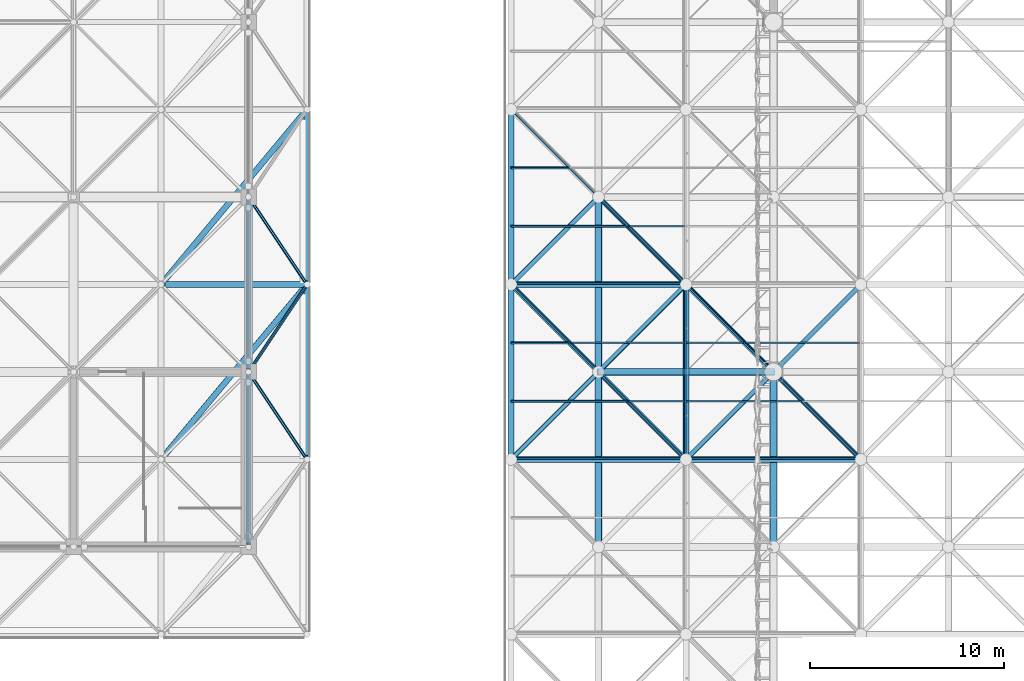
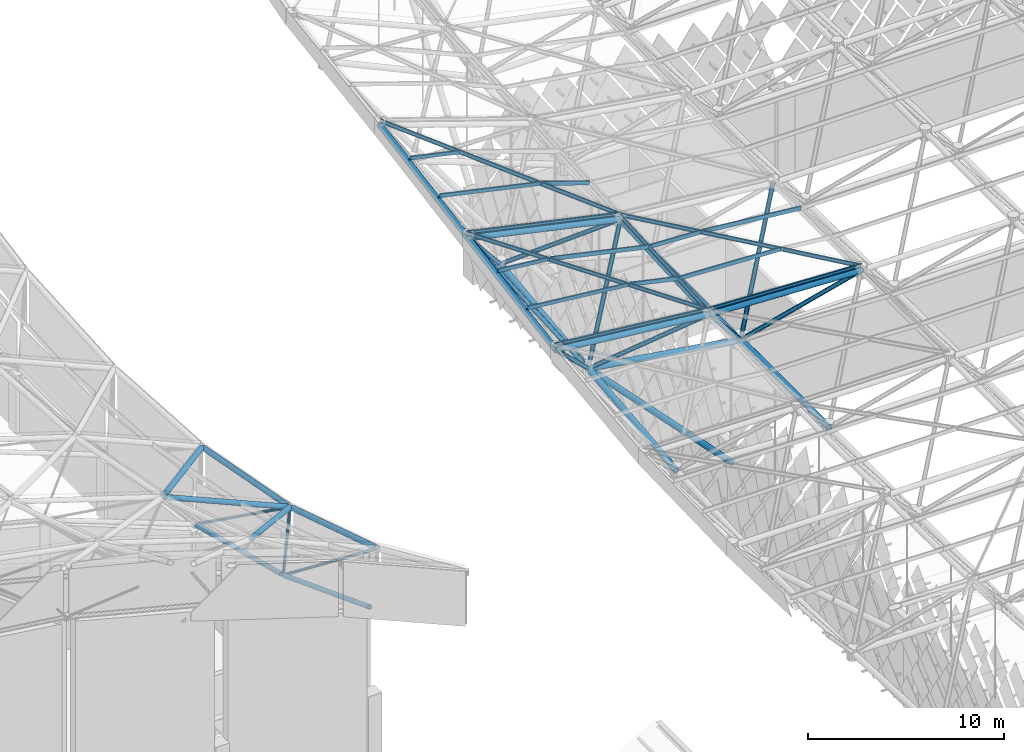
# One storey, part 81 of 437: 48 members.
"""IFC4 building model written with IfcOpenShell, lengths in metres."""

from ifc_helpers import new_model, si_unit, direction, frame, origin, origin_2d, place, context, subcontext, project, spatial, polyline, hollow_circle, outline, extrude, material, material_profile, profile_set, type_object, element, save


model = new_model("IFC4")

# Units and contexts
model_context = context("Model", 3, precision=1e-05, world=origin(), true_north=direction((0.0, 1.0)))
body_context = subcontext(model_context, "Body", "Model", "MODEL_VIEW")
ifc_project = project(units=[si_unit("LENGTHUNIT", "METRE"), si_unit("AREAUNIT", "SQUARE_METRE"), si_unit("VOLUMEUNIT", "CUBIC_METRE"), si_unit("PLANEANGLEUNIT", "RADIAN"), si_unit("MASSUNIT", "GRAM", prefix="KILO")], contexts=[model_context])

# Site, building, storey
site_placement = place(None, origin())
site = spatial("IfcSite", under=ifc_project, at=site_placement, CompositionType="ELEMENT")
building_placement = place(site_placement, origin())
building = spatial("IfcBuilding", under=site, at=building_placement, Name="Opaline Strait Convention Centre", CompositionType="ELEMENT")
storey_placement = place(building_placement, frame((0.0, 0.0, 11.5)))
storey = spatial("IfcBuildingStorey", under=building, at=storey_placement, Name="L02", CompositionType="ELEMENT", Elevation=11.5)

# Members
ifc_material = material(Name="Steel Q355B", Category="steel")
ifc_material_profile_1 = material_profile(ifc_material, hollow_circle(Radius=0.175537109375, WallThickness=0.01611328125, at=origin_2d()), Name="CHS 351x16")
ifc_profile_set_1 = profile_set([ifc_material_profile_1], Name="Steel Q355B")
member_type_1 = type_object("IfcMemberType", Name="Raking prop CHS 351x16", PredefinedType="BRACE", material=ifc_profile_set_1)
member_1_placement = place(storey_placement, frame((98.48388671875, 126.0, 5.0166015625), z_axis=(-0.692510344595, 0.0, 0.721407944667), x_axis=(0.0, -1.0, 0.0)))
element("IfcMember", 1, at=member_1_placement, inside=storey, type_object=member_type_1, Name="Raking prop 99/126 W", PredefinedType="BRACE", context=body_context, shape_type="SweptSolid", body=[
    extrude(hollow_circle(Radius=0.175537109375, WallThickness=0.01611328125, at=origin_2d()), origin(), (0.0, 0.0, 1.0), 12.301025390625),
])
ifc_material_profile_2 = material_profile(ifc_material, outline(polyline([(-0.03759765625, -0.125), (0.03759765625, -0.125), (0.03759765625, -0.10498046875), (0.034912109375, -0.10498046875), (0.034912109375, -0.12255859375), (-0.034912109375, -0.12255859375), (-0.034912109375, 0.12255859375), (0.034912109375, 0.12255859375), (0.034912109375, 0.10498046875), (0.03759765625, 0.10498046875), (0.03759765625, 0.125), (-0.03759765625, 0.125), (-0.03759765625, -0.125)])), Name="C 250x75x20x2.5")
ifc_profile_set_2 = profile_set([ifc_material_profile_2], Name="Steel Q355B")
member_type_2 = type_object("IfcMemberType", Name="Roof purlin C 250x75x20x2.5", PredefinedType="PURLIN", material=ifc_profile_set_2)
member_2_placement = place(storey_placement, frame((94.5, 121.5, 18.657470703125), z_axis=(-0.694204223982, 0.694204223982, 0.190160434401), x_axis=(-0.71248371518, -0.700270764147, -0.044584890758)))
element("IfcMember", 2, at=member_2_placement, inside=storey, type_object=member_type_2, Name="EXB-RF-F-0-9", PredefinedType="PURLIN", context=body_context, shape_type="SweptSolid", body=[
    extrude(outline(polyline([(-0.03759765625, -0.125), (0.03759765625, -0.125), (0.03759765625, -0.10498046875), (0.034912109375, -0.10498046875), (0.034912109375, -0.12255859375), (-0.034912109375, -0.12255859375), (-0.034912109375, 0.12255859375), (0.034912109375, 0.12255859375), (0.034912109375, 0.10498046875), (0.03759765625, 0.10498046875), (0.03759765625, 0.125), (-0.03759765625, 0.125), (-0.03759765625, -0.125)])), origin(), (0.0, 0.0, 1.0), 12.964599609375),
])
member_3_placement = place(storey_placement, frame((94.434326171875, 121.449951171875, 18.673583984375), z_axis=(0.0, 0.998533323421, 0.054140576451), x_axis=(-0.976767751484, -0.011602359597, 0.213986319453)))
element("IfcMember", 3, at=member_3_placement, inside=storey, type_object=member_type_2, Name="EXB-RF-E-0-9a", PredefinedType="PURLIN", context=body_context, shape_type="SweptSolid", body=[
    extrude(outline(polyline([(-0.03759765625, -0.125), (0.03759765625, -0.125), (0.03759765625, -0.10498046875), (0.034912109375, -0.10498046875), (0.034912109375, -0.12255859375), (-0.034912109375, -0.12255859375), (-0.034912109375, 0.12255859375), (0.034912109375, 0.12255859375), (0.034912109375, 0.10498046875), (0.03759765625, 0.10498046875), (0.03759765625, 0.125), (-0.03759765625, 0.125), (-0.03759765625, -0.125)])), origin(), (0.0, 0.0, 1.0), 9.113525390625),
])
member_4_placement = place(storey_placement, frame((91.550048828125, 124.5, 19.47265625), z_axis=(0.976698163467, 0.0, -0.214617560978), x_axis=(0.011616735774, 0.998534026345, 0.052866337893)))
element("IfcMember", 4, at=member_4_placement, inside=storey, type_object=member_type_2, Name="EXB-RF-P-0-9-0a", PredefinedType="PURLIN", context=body_context, shape_type="SweptSolid", body=[
    extrude(outline(polyline([(-0.03759765625, -0.125), (0.03759765625, -0.125), (0.03759765625, -0.10498046875), (0.034912109375, -0.10498046875), (0.034912109375, -0.12255859375), (-0.034912109375, -0.12255859375), (-0.034912109375, 0.12255859375), (0.034912109375, 0.12255859375), (0.034912109375, 0.10498046875), (0.03759765625, 0.10498046875), (0.03759765625, 0.125), (-0.03759765625, 0.125), (-0.03759765625, -0.125)])), origin(), (0.0, 0.0, 1.0), 2.917724609375),
])
member_5_placement = place(storey_placement, frame((88.550048828125, 127.5, 20.29443359375), z_axis=(0.976699349259, 0.0, -0.214612164511), x_axis=(0.011616443677, 0.998534026345, 0.052866402077)))
element("IfcMember", 5, at=member_5_placement, inside=storey, type_object=member_type_2, Name="EXB-RF-P-0-9-1a", PredefinedType="PURLIN", context=body_context, shape_type="SweptSolid", body=[
    extrude(outline(polyline([(-0.03759765625, -0.125), (0.03759765625, -0.125), (0.03759765625, -0.10498046875), (0.034912109375, -0.10498046875), (0.034912109375, -0.12255859375), (-0.034912109375, -0.12255859375), (-0.034912109375, 0.12255859375), (0.034912109375, 0.12255859375), (0.034912109375, 0.10498046875), (0.03759765625, 0.10498046875), (0.03759765625, 0.125), (-0.03759765625, 0.125), (-0.03759765625, -0.125)])), origin(), (0.0, 0.0, 1.0), 5.989501953125),
])
member_6_placement = place(storey_placement, frame((94.550048828125, 121.56005859375, 18.6650390625), z_axis=(-0.994612105595, 0.0, 0.10366657805), x_axis=(-0.017254091808, -0.986051866452, -0.165541574785)))
element("IfcMember", 6, at=member_6_placement, inside=storey, type_object=member_type_2, Name="EXB-RF-E-0-9b", PredefinedType="PURLIN", context=body_context, shape_type="SweptSolid", body=[
    extrude(outline(polyline([(-0.03759765625, -0.125), (0.03759765625, -0.125), (0.03759765625, -0.10498046875), (0.034912109375, -0.10498046875), (0.034912109375, -0.12255859375), (-0.034912109375, -0.12255859375), (-0.034912109375, 0.12255859375), (0.034912109375, 0.12255859375), (0.034912109375, 0.10498046875), (0.03759765625, 0.10498046875), (0.03759765625, 0.125), (-0.03759765625, 0.125), (-0.03759765625, -0.125)])), origin(), (0.0, 0.0, 1.0), 9.1494140625),
])
member_7_placement = place(storey_placement, frame((85.5, 124.5, 20.107177734375), z_axis=(0.994612712378, 0.0, -0.103660756204), x_axis=(0.017343920909, 0.985903618125, 0.166412872625)))
element("IfcMember", 7, at=member_7_placement, inside=storey, type_object=member_type_2, Name="EXB-RF-P-0-9-0b", PredefinedType="PURLIN", context=body_context, shape_type="SweptSolid", body=[
    extrude(outline(polyline([(-0.03759765625, -0.125), (0.03759765625, -0.125), (0.03759765625, -0.10498046875), (0.034912109375, -0.10498046875), (0.034912109375, -0.12255859375), (-0.034912109375, -0.12255859375), (-0.034912109375, 0.12255859375), (0.034912109375, 0.12255859375), (0.034912109375, 0.10498046875), (0.03759765625, 0.10498046875), (0.03759765625, 0.125), (-0.03759765625, 0.125), (-0.03759765625, -0.125)])), origin(), (0.0, 0.0, 1.0), 5.982177734375),
])
member_8_placement = place(storey_placement, frame((85.5, 127.5, 20.6162109375), z_axis=(0.994615404266, 0.0, -0.103634924602), x_axis=(0.017339598914, 0.985903618125, 0.166413323016)))
element("IfcMember", 8, at=member_8_placement, inside=storey, type_object=member_type_2, Name="EXB-RF-P-0-9-1b", PredefinedType="PURLIN", context=body_context, shape_type="SweptSolid", body=[
    extrude(outline(polyline([(-0.03759765625, -0.125), (0.03759765625, -0.125), (0.03759765625, -0.10498046875), (0.034912109375, -0.10498046875), (0.034912109375, -0.12255859375), (-0.034912109375, -0.12255859375), (-0.034912109375, 0.12255859375), (0.034912109375, 0.12255859375), (0.034912109375, 0.10498046875), (0.03759765625, 0.10498046875), (0.03759765625, 0.125), (-0.03759765625, 0.125), (-0.03759765625, -0.125)])), origin(), (0.0, 0.0, 1.0), 2.9658203125),
])
member_9_placement = place(storey_placement, frame((103.5, 121.5, 18.255126953125), z_axis=(-0.705385748856, 0.705385748856, 0.069727258812), x_axis=(-0.707423051329, -0.706758384602, -0.006724004996)))
element("IfcMember", 9, at=member_9_placement, inside=storey, type_object=member_type_2, Name="EXB-RF-F-1-9", PredefinedType="PURLIN", context=body_context, shape_type="SweptSolid", body=[
    extrude(outline(polyline([(-0.03759765625, -0.125), (0.03759765625, -0.125), (0.03759765625, -0.10498046875), (0.034912109375, -0.10498046875), (0.034912109375, -0.12255859375), (-0.034912109375, -0.12255859375), (-0.034912109375, 0.12255859375), (0.034912109375, 0.12255859375), (0.034912109375, 0.10498046875), (0.03759765625, 0.10498046875), (0.03759765625, 0.125), (-0.03759765625, 0.125), (-0.03759765625, -0.125)])), origin(), (0.0, 0.0, 1.0), 12.759033203125),
])
member_10_placement = place(storey_placement, frame((97.550048828125, 127.5, 18.845703125), z_axis=(0.995150180521, 0.0, -0.098367261879), x_axis=(0.0, 1.0, 0.0)))
element("IfcMember", 10, at=member_10_placement, inside=storey, type_object=member_type_2, Name="EXB-RF-P-1-9-1a", PredefinedType="PURLIN", context=body_context, shape_type="SweptSolid", body=[
    extrude(outline(polyline([(-0.03759765625, -0.125), (0.03759765625, -0.125), (0.03759765625, -0.10498046875), (0.034912109375, -0.10498046875), (0.034912109375, -0.12255859375), (-0.034912109375, -0.12255859375), (-0.034912109375, 0.12255859375), (0.034912109375, 0.12255859375), (0.034912109375, 0.10498046875), (0.03759765625, 0.10498046875), (0.03759765625, 0.125), (-0.03759765625, 0.125), (-0.03759765625, -0.125)])), origin(), (0.0, 0.0, 1.0), 5.89208984375),
])
member_11_placement = place(storey_placement, frame((103.550048828125, 121.54638671875, 18.257568359375), z_axis=(-0.999005016003, 0.0, 0.044597959613), x_axis=(-0.002411571545, -0.998536953469, -0.054019782307)))
element("IfcMember", 11, at=member_11_placement, inside=storey, type_object=member_type_2, Name="EXB-RF-E-1-9b", PredefinedType="PURLIN", context=body_context, shape_type="SweptSolid", body=[
    extrude(outline(polyline([(-0.03759765625, -0.125), (0.03759765625, -0.125), (0.03759765625, -0.10498046875), (0.034912109375, -0.10498046875), (0.034912109375, -0.12255859375), (-0.034912109375, -0.12255859375), (-0.034912109375, 0.12255859375), (0.034912109375, 0.12255859375), (0.034912109375, 0.10498046875), (0.03759765625, 0.10498046875), (0.03759765625, 0.125), (-0.03759765625, 0.125), (-0.03759765625, -0.125)])), origin(), (0.0, 0.0, 1.0), 9.109130859375),
])
member_12_placement = place(storey_placement, frame((94.5, 124.5, 18.821533203125), z_axis=(0.999004978372, 0.0, -0.04459880253), x_axis=(0.002414026618, 0.998534026345, 0.054073752484)))
element("IfcMember", 12, at=member_12_placement, inside=storey, type_object=member_type_2, Name="EXB-RF-P-1-9-0b", PredefinedType="PURLIN", context=body_context, shape_type="SweptSolid", body=[
    extrude(outline(polyline([(-0.03759765625, -0.125), (0.03759765625, -0.125), (0.03759765625, -0.10498046875), (0.034912109375, -0.10498046875), (0.034912109375, -0.12255859375), (-0.034912109375, -0.12255859375), (-0.034912109375, 0.12255859375), (0.034912109375, 0.12255859375), (0.034912109375, 0.10498046875), (0.03759765625, 0.10498046875), (0.03759765625, 0.125), (-0.03759765625, 0.125), (-0.03759765625, -0.125)])), origin(), (0.0, 0.0, 1.0), 5.955810546875),
])
member_13_placement = place(storey_placement, frame((94.5, 127.5, 18.984375), z_axis=(0.999002855694, 0.0, -0.04464632476), x_axis=(0.002416598883, 0.998534026345, 0.054073637589)))
element("IfcMember", 13, at=member_13_placement, inside=storey, type_object=member_type_2, Name="EXB-RF-P-1-9-1b", PredefinedType="PURLIN", context=body_context, shape_type="SweptSolid", body=[
    extrude(outline(polyline([(-0.03759765625, -0.125), (0.03759765625, -0.125), (0.03759765625, -0.10498046875), (0.034912109375, -0.10498046875), (0.034912109375, -0.12255859375), (-0.034912109375, -0.12255859375), (-0.034912109375, 0.12255859375), (0.034912109375, 0.12255859375), (0.034912109375, 0.10498046875), (0.03759765625, 0.10498046875), (0.03759765625, 0.125), (-0.03759765625, 0.125), (-0.03759765625, -0.125)])), origin(), (0.0, 0.0, 1.0), 2.952880859375),
])
member_14_placement = place(storey_placement, frame((94.5, 130.5, 19.149169921875), z_axis=(-0.680940085926, 0.680940085926, 0.26952031233), x_axis=(-0.701135867447, -0.712454070999, 0.028595316)))
element("IfcMember", 14, at=member_14_placement, inside=storey, type_object=member_type_2, Name="EXB-RF-F-0-10", PredefinedType="PURLIN", context=body_context, shape_type="SweptSolid", body=[
    extrude(outline(polyline([(-0.03759765625, -0.125), (0.03759765625, -0.125), (0.03759765625, -0.10498046875), (0.034912109375, -0.10498046875), (0.034912109375, -0.12255859375), (-0.034912109375, -0.12255859375), (-0.034912109375, 0.12255859375), (0.034912109375, 0.12255859375), (0.034912109375, 0.10498046875), (0.03759765625, 0.10498046875), (0.03759765625, 0.125), (-0.03759765625, 0.125), (-0.03759765625, -0.125)])), origin(), (0.0, 0.0, 1.0), 13.217041015625),
])
member_15_placement = place(storey_placement, frame((91.550048828125, 133.5, 20.32421875), z_axis=(0.947065459404, 0.0, -0.321040520189), x_axis=(0.018225296447, 0.99838731392, 0.053764393174)))
element("IfcMember", 15, at=member_15_placement, inside=storey, type_object=member_type_2, Name="EXB-RF-P-0-10-0a", PredefinedType="PURLIN", context=body_context, shape_type="SweptSolid", body=[
    extrude(outline(polyline([(-0.03759765625, -0.125), (0.03759765625, -0.125), (0.03759765625, -0.10498046875), (0.034912109375, -0.10498046875), (0.034912109375, -0.12255859375), (-0.034912109375, -0.12255859375), (-0.034912109375, 0.12255859375), (0.034912109375, 0.12255859375), (0.034912109375, 0.10498046875), (0.03759765625, 0.10498046875), (0.03759765625, 0.125), (-0.03759765625, 0.125), (-0.03759765625, -0.125)])), origin(), (0.0, 0.0, 1.0), 2.995361328125),
])
member_16_placement = place(storey_placement, frame((94.550048828125, 130.560302734375, 19.14990234375), z_axis=(-0.976700958406, 0.0, 0.214604841159), x_axis=(-0.036376076933, -0.985529741381, -0.165553344517)))
element("IfcMember", 16, at=member_16_placement, inside=storey, type_object=member_type_2, Name="EXB-RF-E-0-10b", PredefinedType="PURLIN", context=body_context, shape_type="SweptSolid", body=[
    extrude(outline(polyline([(-0.03759765625, -0.125), (0.03759765625, -0.125), (0.03759765625, -0.10498046875), (0.034912109375, -0.10498046875), (0.034912109375, -0.12255859375), (-0.034912109375, -0.12255859375), (-0.034912109375, 0.12255859375), (0.034912109375, 0.12255859375), (0.034912109375, 0.10498046875), (0.03759765625, 0.10498046875), (0.03759765625, 0.125), (-0.03759765625, 0.125), (-0.03759765625, -0.125)])), origin(), (0.0, 0.0, 1.0), 9.317138671875),
])
member_17_placement = place(storey_placement, frame((85.5, 133.5, 21.656005859375), z_axis=(0.976700106525, 0.0, -0.214608718167), x_axis=(0.037218458447, 0.984847127184, 0.169383949733)))
element("IfcMember", 17, at=member_17_placement, inside=storey, type_object=member_type_2, Name="EXB-RF-P-0-10-0b", PredefinedType="PURLIN", context=body_context, shape_type="SweptSolid", body=[
    extrude(outline(polyline([(-0.03759765625, -0.125), (0.03759765625, -0.125), (0.03759765625, -0.10498046875), (0.034912109375, -0.10498046875), (0.034912109375, -0.12255859375), (-0.034912109375, -0.12255859375), (-0.034912109375, 0.12255859375), (0.034912109375, 0.12255859375), (0.034912109375, 0.10498046875), (0.03759765625, 0.10498046875), (0.03759765625, 0.125), (-0.03759765625, 0.125), (-0.03759765625, -0.125)])), origin(), (0.0, 0.0, 1.0), 6.091796875),
])
member_18_placement = place(storey_placement, frame((85.5, 136.5, 22.184326171875), z_axis=(0.976699731106, 0.0, -0.214610426722), x_axis=(0.037218754753, 0.984847127184, 0.169383884626)))
element("IfcMember", 18, at=member_18_placement, inside=storey, type_object=member_type_2, Name="EXB-RF-P-0-10-1b", PredefinedType="PURLIN", context=body_context, shape_type="SweptSolid", body=[
    extrude(outline(polyline([(-0.03759765625, -0.125), (0.03759765625, -0.125), (0.03759765625, -0.10498046875), (0.034912109375, -0.10498046875), (0.034912109375, -0.12255859375), (-0.034912109375, -0.12255859375), (-0.034912109375, 0.12255859375), (0.034912109375, 0.12255859375), (0.034912109375, 0.10498046875), (0.03759765625, 0.10498046875), (0.03759765625, 0.125), (-0.03759765625, 0.125), (-0.03759765625, -0.125)])), origin(), (0.0, 0.0, 1.0), 3.020263671875),
])
ifc_material_profile_3 = material_profile(ifc_material, hollow_circle(Radius=0.136474609375, WallThickness=0.011962890625, at=origin_2d()), Name="CHS 273x12")
ifc_profile_set_3 = profile_set([ifc_material_profile_3], Name="Steel Q355B")
member_type_3 = type_object("IfcMemberType", Name="Shell truss bottom chord CHS 273x12", PredefinedType="CHORD", material=ifc_profile_set_3)
member_19_placement = place(storey_placement, frame((72.0, 117.14990234375, 10.637939453125), z_axis=(0.0, 0.934484411572, -0.356004051282), x_axis=(-1.0, 0.0, 0.0)))
element("IfcMember", 19, at=member_19_placement, inside=storey, type_object=member_type_3, Name="PBC1 bottom chord Y8-1", PredefinedType="CHORD", context=body_context, shape_type="SweptSolid", body=[
    extrude(hollow_circle(Radius=0.136474609375, WallThickness=0.011962890625, at=origin_2d()), origin(), (0.0, 0.0, 1.0), 9.31005859375),
])
member_20_placement = place(storey_placement, frame((72.0, 126.14990234375, 7.228271484375), z_axis=(0.0, 0.969233447146, -0.246143301624), x_axis=(-1.0, 0.0, 0.0)))
element("IfcMember", 20, at=member_20_placement, inside=storey, type_object=member_type_3, Name="PBC1 bottom chord Y8-2", PredefinedType="CHORD", context=body_context, shape_type="SweptSolid", body=[
    extrude(hollow_circle(Radius=0.136474609375, WallThickness=0.011962890625, at=origin_2d()), origin(), (0.0, 0.0, 1.0), 8.976318359375),
])
ifc_material_profile_4 = material_profile(ifc_material, hollow_circle(Radius=0.1494140625, WallThickness=0.01611328125, at=origin_2d()), Name="CHS 299x16")
ifc_profile_set_4 = profile_set([ifc_material_profile_4], Name="Steel Q355B")
member_type_4 = type_object("IfcMemberType", Name="Shell truss top chord CHS 299x16", PredefinedType="CHORD", material=ifc_profile_set_4)
member_21_placement = place(storey_placement, frame((67.64990234375, 130.5, 10.9228515625), z_axis=(0.917383800951, 0.0, -0.398003720777), x_axis=(0.0, 1.0, 0.0)))
element("IfcMember", 21, at=member_21_placement, inside=storey, type_object=member_type_4, Name="PTC1 top chord X8-3", PredefinedType="CHORD", context=body_context, shape_type="SweptSolid", body=[
    extrude(hollow_circle(Radius=0.1494140625, WallThickness=0.01611328125, at=origin_2d()), origin(), (0.0, 0.0, 1.0), 7.8486328125),
])
member_22_placement = place(storey_placement, frame((75.0, 121.64990234375, 10.54345703125), z_axis=(0.0, 0.95312438958, -0.302578746754), x_axis=(-1.0, 0.0, 0.0)))
element("IfcMember", 22, at=member_22_placement, inside=storey, type_object=member_type_4, Name="PTC1 top chord Y9-2", PredefinedType="CHORD", context=body_context, shape_type="SweptSolid", body=[
    extrude(hollow_circle(Radius=0.1494140625, WallThickness=0.01611328125, at=origin_2d()), origin(), (0.0, 0.0, 1.0), 9.128173828125),
])
member_23_placement = place(storey_placement, frame((75.0, 130.64990234375, 7.705322265625), z_axis=(0.0, 0.982337601302, -0.187117174701), x_axis=(-1.0, 0.0, 0.0)))
element("IfcMember", 23, at=member_23_placement, inside=storey, type_object=member_type_4, Name="PTC1 top chord Y9-3", PredefinedType="CHORD", context=body_context, shape_type="SweptSolid", body=[
    extrude(hollow_circle(Radius=0.1494140625, WallThickness=0.01611328125, at=origin_2d()), origin(), (0.0, 0.0, 1.0), 8.856689453125),
])
member_24_placement = place(storey_placement, frame((67.595947265625, 121.615234375, 13.766845703125), z_axis=(0.567606990385, 0.681113218902, -0.462500905408), x_axis=(-0.768214267482, 0.640192814109, 0.0)))
element("IfcMember", 24, at=member_24_placement, inside=storey, type_object=member_type_4, Name="PTC1 top chord D8-2", PredefinedType="CHORD", context=body_context, shape_type="SweptSolid", body=[
    extrude(hollow_circle(Radius=0.1494140625, WallThickness=0.01611328125, at=origin_2d()), origin(), (0.0, 0.0, 1.0), 12.875244140625),
])
member_25_placement = place(storey_placement, frame((67.595947265625, 130.615234375, 10.92431640625), z_axis=(0.589384448155, 0.707245586214, -0.39042240337), x_axis=(-0.768214267482, 0.640192814109, 0.0)))
element("IfcMember", 25, at=member_25_placement, inside=storey, type_object=member_type_4, Name="PTC1 top chord D8-3", PredefinedType="CHORD", context=body_context, shape_type="SweptSolid", body=[
    extrude(hollow_circle(Radius=0.1494140625, WallThickness=0.01611328125, at=origin_2d()), origin(), (0.0, 0.0, 1.0), 12.399658203125),
])
ifc_material_profile_5 = material_profile(ifc_material, hollow_circle(Radius=0.083984375, WallThickness=0.010009765625, at=origin_2d()), Name="CHS 168x10")
ifc_profile_set_5 = profile_set([ifc_material_profile_5], Name="Steel Q355B")
member_type_5 = type_object("IfcMemberType", Name="Shell truss web CHS 168x10", PredefinedType="BRACE", material=ifc_profile_set_5)
member_26_placement = place(storey_placement, frame((72.083251953125, 125.875244140625, 7.358642578125), z_axis=(0.472539463346, -0.70884991012, 0.523677630325), x_axis=(0.832064999387, 0.554678138018, 0.0)))
element("IfcMember", 26, at=member_26_placement, inside=storey, type_object=member_type_5, Name="PWB1 web 8-2bc", PredefinedType="BRACE", context=body_context, shape_type="SweptSolid", body=[
    extrude(hollow_circle(Radius=0.083984375, WallThickness=0.010009765625, at=origin_2d()), origin(), (0.0, 0.0, 1.0), 5.996337890625),
])
member_27_placement = place(storey_placement, frame((72.083251953125, 126.124755859375, 7.279296875), z_axis=(0.552616659628, 0.828972604181, 0.086135062663), x_axis=(-0.832064999387, 0.554678138018, 0.0)))
element("IfcMember", 27, at=member_27_placement, inside=storey, type_object=member_type_5, Name="PWB1 web 8-2bd", PredefinedType="BRACE", context=body_context, shape_type="SweptSolid", body=[
    extrude(hollow_circle(Radius=0.083984375, WallThickness=0.010009765625, at=origin_2d()), origin(), (0.0, 0.0, 1.0), 5.12744140625),
])
member_28_placement = place(storey_placement, frame((72.083251953125, 134.875244140625, 5.05712890625), z_axis=(0.494319584438, -0.741521968384, 0.453644485081), x_axis=(0.832064999387, 0.554678138018, 0.0)))
element("IfcMember", 28, at=member_28_placement, inside=storey, type_object=member_type_5, Name="PWB1 web 8-3bc", PredefinedType="BRACE", context=body_context, shape_type="SweptSolid", body=[
    extrude(hollow_circle(Radius=0.083984375, WallThickness=0.010009765625, at=origin_2d()), origin(), (0.0, 0.0, 1.0), 5.732177734375),
])
ifc_material_profile_6 = material_profile(ifc_material, hollow_circle(Radius=0.175537109375, WallThickness=0.01611328125, at=origin_2d()), Name="CHS 351x16")
ifc_profile_set_6 = profile_set([ifc_material_profile_6], Name="Steel Q355B")
member_type_6 = type_object("IfcMemberType", Name="Space frame bottom chord CHS 351x16", PredefinedType="CHORD", material=ifc_profile_set_6)
member_29_placement = place(storey_placement, frame((89.950439453125, 126.0, 13.862060546875), z_axis=(0.988864228986, 0.0, -0.148820484582), x_axis=(0.0, 1.0, 0.0)))
element("IfcMember", 29, at=member_29_placement, inside=storey, type_object=member_type_6, Name="EXB-RF-BX-0-9", PredefinedType="CHORD", context=body_context, shape_type="SweptSolid", body=[
    extrude(hollow_circle(Radius=0.175537109375, WallThickness=0.01611328125, at=origin_2d()), origin(), (0.0, 0.0, 1.0), 9.20166015625),
])
member_30_placement = place(storey_placement, frame((90.0, 116.9501953125, 12.954345703125), z_axis=(0.0, 0.99509044308, 0.098969743306), x_axis=(-1.0, 0.0, 0.0)))
element("IfcMember", 30, at=member_30_placement, inside=storey, type_object=member_type_6, Name="EXB-RF-BY-0-8", PredefinedType="CHORD", context=body_context, shape_type="SweptSolid", body=[
    extrude(hollow_circle(Radius=0.175537109375, WallThickness=0.01611328125, at=origin_2d()), origin(), (0.0, 0.0, 1.0), 9.14453125),
])
member_31_placement = place(storey_placement, frame((90.0, 125.950439453125, 13.8486328125), z_axis=(0.0, 0.993180584954, 0.116586129841), x_axis=(-1.0, 0.0, 0.0)))
element("IfcMember", 31, at=member_31_placement, inside=storey, type_object=member_type_6, Name="EXB-RF-BY-0-9", PredefinedType="CHORD", context=body_context, shape_type="SweptSolid", body=[
    extrude(hollow_circle(Radius=0.175537109375, WallThickness=0.01611328125, at=origin_2d()), origin(), (0.0, 0.0, 1.0), 9.16162109375),
])
member_32_placement = place(storey_placement, frame((99.0, 116.949951171875, 12.5), z_axis=(0.0, 1.0, 0.0), x_axis=(-1.0, 0.0, 0.0)))
element("IfcMember", 32, at=member_32_placement, inside=storey, type_object=member_type_6, Name="EXB-RF-BY-1-8", PredefinedType="CHORD", context=body_context, shape_type="SweptSolid", body=[
    extrude(hollow_circle(Radius=0.175537109375, WallThickness=0.01611328125, at=origin_2d()), origin(), (0.0, 0.0, 1.0), 9.10009765625),
])
ifc_material_profile_7 = material_profile(ifc_material, hollow_circle(Radius=0.16259765625, WallThickness=0.013916015625, at=origin_2d()), Name="CHS 325x14")
ifc_profile_set_7 = profile_set([ifc_material_profile_7], Name="Steel Q355B")
member_type_7 = type_object("IfcMemberType", Name="Space frame top chord CHS 325x14", PredefinedType="CHORD", material=ifc_profile_set_7)
member_33_placement = place(storey_placement, frame((85.5, 130.45068359375, 20.830078125), z_axis=(0.0, 0.984849995483, 0.17340843808), x_axis=(-1.0, 0.0, 0.0)))
element("IfcMember", 33, at=member_33_placement, inside=storey, type_object=member_type_7, Name="EXB-RF-TY-0-10", PredefinedType="CHORD", context=body_context, shape_type="SweptSolid", body=[
    extrude(hollow_circle(Radius=0.16259765625, WallThickness=0.013916015625, at=origin_2d()), origin(), (0.0, 0.0, 1.0), 9.238525390625),
])
ifc_material_profile_8 = material_profile(ifc_material, hollow_circle(Radius=0.16259765625, WallThickness=0.02001953125, at=origin_2d()), Name="CHS 325x20")
ifc_profile_set_8 = profile_set([ifc_material_profile_8], Name="Steel Q355B")
member_type_8 = type_object("IfcMemberType", Name="Space frame top chord CHS 325x20", PredefinedType="CHORD", material=ifc_profile_set_8)
member_34_placement = place(storey_placement, frame((85.4501953125, 121.5, 19.31640625), z_axis=(0.994614283282, 0.0, -0.10364568245), x_axis=(0.0, 1.0, 0.0)))
element("IfcMember", 34, at=member_34_placement, inside=storey, type_object=member_type_8, Name="EXB-RF-TX-0-9", PredefinedType="CHORD", context=body_context, shape_type="SweptSolid", body=[
    extrude(hollow_circle(Radius=0.16259765625, WallThickness=0.02001953125, at=origin_2d()), origin(), (0.0, 0.0, 1.0), 9.14892578125),
])
member_35_placement = place(storey_placement, frame((94.449951171875, 121.5, 18.37548828125), z_axis=(0.999005016003, 0.0, -0.044597959613), x_axis=(0.0, 1.0, 0.0)))
element("IfcMember", 35, at=member_35_placement, inside=storey, type_object=member_type_8, Name="EXB-RF-TX-1-9", PredefinedType="CHORD", context=body_context, shape_type="SweptSolid", body=[
    extrude(hollow_circle(Radius=0.16259765625, WallThickness=0.02001953125, at=origin_2d()), origin(), (0.0, 0.0, 1.0), 9.109130859375),
])
member_36_placement = place(storey_placement, frame((85.451171875, 130.5, 20.849365234375), z_axis=(0.976705368416, 0.0, -0.214584769515), x_axis=(0.0, 1.0, 0.0)))
element("IfcMember", 36, at=member_36_placement, inside=storey, type_object=member_type_8, Name="EXB-RF-TX-0-10", PredefinedType="CHORD", context=body_context, shape_type="SweptSolid", body=[
    extrude(hollow_circle(Radius=0.16259765625, WallThickness=0.02001953125, at=origin_2d()), origin(), (0.0, 0.0, 1.0), 9.314697265625),
])
member_37_placement = place(storey_placement, frame((85.5, 121.45068359375, 19.302978515625), z_axis=(0.0, 0.985901966255, 0.167323975973), x_axis=(-1.0, 0.0, 0.0)))
element("IfcMember", 37, at=member_37_placement, inside=storey, type_object=member_type_8, Name="EXB-RF-TY-0-9", PredefinedType="CHORD", context=body_context, shape_type="SweptSolid", body=[
    extrude(hollow_circle(Radius=0.16259765625, WallThickness=0.02001953125, at=origin_2d()), origin(), (0.0, 0.0, 1.0), 9.228759765625),
])
member_38_placement = place(storey_placement, frame((94.5, 121.4501953125, 18.37060546875), z_axis=(0.0, 0.99853316636, 0.054143473095), x_axis=(-1.0, 0.0, 0.0)))
element("IfcMember", 38, at=member_38_placement, inside=storey, type_object=member_type_8, Name="EXB-RF-TY-1-9", PredefinedType="CHORD", context=body_context, shape_type="SweptSolid", body=[
    extrude(hollow_circle(Radius=0.16259765625, WallThickness=0.02001953125, at=origin_2d()), origin(), (0.0, 0.0, 1.0), 9.113037109375),
])
ifc_material_profile_9 = material_profile(ifc_material, hollow_circle(Radius=0.12255859375, WallThickness=0.011962890625, at=origin_2d()), Name="CHS 245x12")
ifc_profile_set_9 = profile_set([ifc_material_profile_9], Name="Steel Q355B")
member_type_9 = type_object("IfcMemberType", Name="Space frame web CHS 245x12", PredefinedType="BRACE", material=ifc_profile_set_9)
member_39_placement = place(storey_placement, frame((85.47314453125, 121.47314453125, 19.343994140625), z_axis=(0.53679140387, 0.53679140387, -0.650930086464), x_axis=(-0.707106781187, 0.707106781187, 0.0)))
element("IfcMember", 39, at=member_39_placement, inside=storey, type_object=member_type_9, Name="EXB-RF-W-0-9-00", PredefinedType="BRACE", context=body_context, shape_type="SweptSolid", body=[
    extrude(hollow_circle(Radius=0.12255859375, WallThickness=0.011962890625, at=origin_2d()), origin(), (0.0, 0.0, 1.0), 8.483154296875),
])
member_40_placement = place(storey_placement, frame((85.47607421875, 130.52392578125, 20.875732421875), z_axis=(0.47626636673, -0.47626636673, -0.739148629062), x_axis=(0.707106781187, 0.707106781187, 0.0)))
element("IfcMember", 40, at=member_40_placement, inside=storey, type_object=member_type_9, Name="EXB-RF-W-0-9-01", PredefinedType="BRACE", context=body_context, shape_type="SweptSolid", body=[
    extrude(hollow_circle(Radius=0.12255859375, WallThickness=0.011962890625, at=origin_2d()), origin(), (0.0, 0.0, 1.0), 9.549072265625),
])
member_41_placement = place(storey_placement, frame((94.52880859375, 121.47119140625, 18.40234375), z_axis=(-0.576535854323, 0.576535854323, -0.578975662149), x_axis=(-0.707106781187, -0.707106781187, 0.0)))
element("IfcMember", 41, at=member_41_placement, inside=storey, type_object=member_type_9, Name="EXB-RF-W-0-9-10", PredefinedType="BRACE", context=body_context, shape_type="SweptSolid", body=[
    extrude(hollow_circle(Radius=0.12255859375, WallThickness=0.011962890625, at=origin_2d()), origin(), (0.0, 0.0, 1.0), 7.9052734375),
])
member_42_placement = place(storey_placement, frame((94.52783203125, 130.52783203125, 18.89208984375), z_axis=(-0.555738694164, -0.555738694164, -0.618311416374), x_axis=(0.707106781187, -0.707106781187, 0.0)))
element("IfcMember", 42, at=member_42_placement, inside=storey, type_object=member_type_9, Name="EXB-RF-W-0-9-11", PredefinedType="BRACE", context=body_context, shape_type="SweptSolid", body=[
    extrude(hollow_circle(Radius=0.12255859375, WallThickness=0.011962890625, at=origin_2d()), origin(), (0.0, 0.0, 1.0), 8.197509765625),
])
member_43_placement = place(storey_placement, frame((85.47412109375, 130.47412109375, 20.872802734375), z_axis=(0.517411806028, 0.517411806028, -0.681593754347), x_axis=(-0.707106781187, 0.707106781187, 0.0)))
element("IfcMember", 43, at=member_43_placement, inside=storey, type_object=member_type_9, Name="EXB-RF-W-0-10-00", PredefinedType="BRACE", context=body_context, shape_type="SweptSolid", body=[
    extrude(hollow_circle(Radius=0.12255859375, WallThickness=0.011962890625, at=origin_2d()), origin(), (0.0, 0.0, 1.0), 8.797119140625),
])
member_44_placement = place(storey_placement, frame((94.530029296875, 130.469970703125, 18.8876953125), z_axis=(-0.600769193716, 0.600769193716, -0.527401888283), x_axis=(-0.707106781187, -0.707106781187, 0.0)))
element("IfcMember", 44, at=member_44_placement, inside=storey, type_object=member_type_9, Name="EXB-RF-W-0-10-10", PredefinedType="BRACE", context=body_context, shape_type="SweptSolid", body=[
    extrude(hollow_circle(Radius=0.12255859375, WallThickness=0.011962890625, at=origin_2d()), origin(), (0.0, 0.0, 1.0), 7.59033203125),
])
member_45_placement = place(storey_placement, frame((94.47412109375, 121.47412109375, 18.4072265625), z_axis=(0.519617871627, 0.519617871627, -0.678228969429), x_axis=(-0.707106781187, 0.707106781187, 0.0)))
element("IfcMember", 45, at=member_45_placement, inside=storey, type_object=member_type_9, Name="EXB-RF-W-1-9-00", PredefinedType="BRACE", context=body_context, shape_type="SweptSolid", body=[
    extrude(hollow_circle(Radius=0.12255859375, WallThickness=0.011962890625, at=origin_2d()), origin(), (0.0, 0.0, 1.0), 8.759765625),
])
member_46_placement = place(storey_placement, frame((94.47509765625, 130.52490234375, 18.896484375), z_axis=(0.50009756062, -0.50009756062, -0.706968782708), x_axis=(0.707106781187, 0.707106781187, 0.0)))
element("IfcMember", 46, at=member_46_placement, inside=storey, type_object=member_type_9, Name="EXB-RF-W-1-9-01", PredefinedType="BRACE", context=body_context, shape_type="SweptSolid", body=[
    extrude(hollow_circle(Radius=0.12255859375, WallThickness=0.011962890625, at=origin_2d()), origin(), (0.0, 0.0, 1.0), 9.097900390625),
])
for number, where, z_axis, x_axis, name in (
    (47, (103.52685546875, 121.47314453125, 18.004150390625), (-0.536178220346, 0.536178220346, -0.6519400525), (-0.707106781187, -0.707106781187, 0.0), "EXB-RF-W-1-9-10"),
    (48, (103.52685546875, 130.52685546875, 18.004150390625), (-0.536178220346, -0.536178220346, -0.6519400525), (0.707106781187, -0.707106781187, 0.0), "EXB-RF-W-1-9-11"),
):
    element("IfcMember", number, at=place(storey_placement, frame(where, z_axis=z_axis, x_axis=x_axis)), inside=storey, type_object=member_type_9, Name=name, PredefinedType="BRACE", context=body_context, shape_type="SweptSolid", body=[
        extrude(hollow_circle(Radius=0.12255859375, WallThickness=0.011962890625, at=origin_2d()), origin(), (0.0, 0.0, 1.0), 8.492919921875),
    ])

save(model, "model.ifc")
